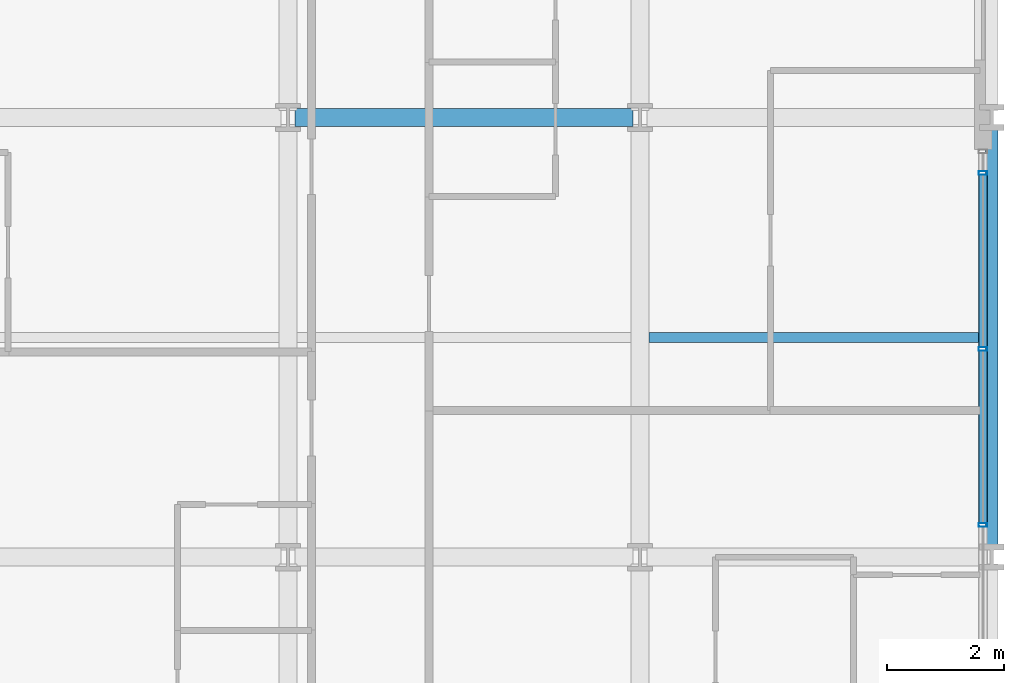
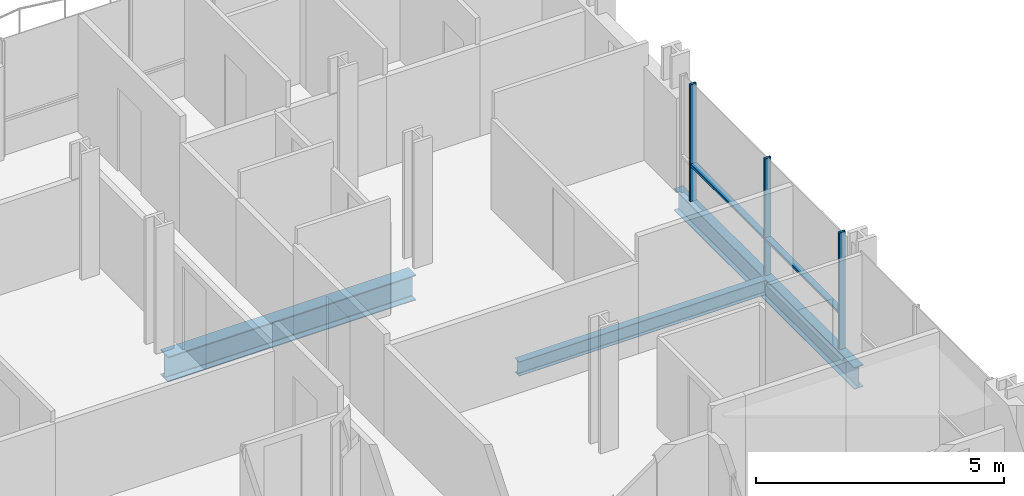
# One storey, part 19 of 41: 5 members, 3 beams, 1 element without a shape of its own.
"""IFC4 building model written with IfcOpenShell, lengths in metres."""

from ifc_helpers import new_model, si_unit, direction, frame, origin, origin_2d, place, context, subcontext, project, spatial, hollow_rectangle, i_section, extrude, material, layer, layer_set, material_profile, profile_set, type_object, element, aggregate, save


model = new_model("IFC4")

# Units and contexts
model_context = context("Model", 3, precision=1e-05, world=origin(), true_north=direction((0.0, 1.0)))
body_context = subcontext(model_context, "Body", "Model", "MODEL_VIEW")
ifc_project = project(units=[si_unit("LENGTHUNIT", "METRE"), si_unit("AREAUNIT", "SQUARE_METRE"), si_unit("VOLUMEUNIT", "CUBIC_METRE"), si_unit("PLANEANGLEUNIT", "RADIAN"), si_unit("MASSUNIT", "GRAM", prefix="KILO")], contexts=[model_context])

# Site, building, storey
site_placement = place(None, origin())
site = spatial("IfcSite", under=ifc_project, at=site_placement, CompositionType="ELEMENT")
building_placement = place(site_placement, origin())
building = spatial("IfcBuilding", under=site, at=building_placement, Name="Brevholm Reach", CompositionType="ELEMENT")
storey_placement = place(building_placement, frame((0.0, 0.0, 55.89990234375)))
storey = spatial("IfcBuildingStorey", under=building, at=storey_placement, Name="L15", CompositionType="ELEMENT", Elevation=55.89990234375)

# Beams
ifc_material_1 = material(Name="Structural Steel S355J2", Category="steel")
ifc_material_profile_1 = material_profile(ifc_material_1, i_section(OverallWidth=0.17138671875, OverallDepth=0.35498046875, WebThickness=0.00732421875, FlangeThickness=0.011474609375, FilletRadius=0.01025390625, at=origin_2d()), Name="UKB 356x171x51")
ifc_profile_set_1 = profile_set([ifc_material_profile_1], Name="Structural Steel S355J2")
beam_type_1 = type_object("IfcBeamType", Name="BM-B356", PredefinedType="BEAM", material=ifc_profile_set_1)
beam_1_placement = place(storey_placement, frame((54.153564453125, 19.75, -0.407470703125), z_axis=(1.0, 0.0, 0.0), x_axis=(0.0, 1.0, 0.0)))
element("IfcBeam", 1, at=beam_1_placement, inside=storey, type_object=beam_type_1, Name="L15 Composite Secondary Floor Beam", PredefinedType="BEAM", context=body_context, shape_type="SweptSolid", body=[
    extrude(i_section(OverallWidth=0.17138671875, OverallDepth=0.35498046875, WebThickness=0.00732421875, FlangeThickness=0.011474609375, FilletRadius=0.01025390625, at=origin_2d()), origin(), (0.0, 0.0, 1.0), 5.740966796875),
])
ifc_material_2 = material(Name="Structural Steel S355J2", Category="steel")
ifc_material_profile_2 = material_profile(ifc_material_2, i_section(OverallWidth=0.210693359375, OverallDepth=0.53955078125, WebThickness=0.01171875, FlangeThickness=0.018798828125, FilletRadius=0.0126953125, at=origin_2d()), Name="UKB 533x210x109")
ifc_profile_set_2 = profile_set([ifc_material_profile_2], Name="Structural Steel S355J2")
beam_type_2 = type_object("IfcBeamType", Name="BM-SP539", PredefinedType="SPANDREL", material=ifc_profile_set_2)
beam_2_placement = place(storey_placement, frame((60.0, 16.1201171875, -0.499755859375), z_axis=(0.0, 1.0, 0.0), x_axis=(-1.0, 0.0, 0.0)))
element("IfcBeam", 2, at=beam_2_placement, inside=storey, type_object=beam_type_2, Name="L15 SP-01B Framing Beam", PredefinedType="SPANDREL", context=body_context, shape_type="SweptSolid", body=[
    extrude(i_section(OverallWidth=0.210693359375, OverallDepth=0.53955078125, WebThickness=0.01171875, FlangeThickness=0.018798828125, FilletRadius=0.0126953125, at=origin_2d()), origin(), (0.0, 0.0, 1.0), 7.259765625),
])
ifc_material_3 = material(Name="Structural Steel S355J2", Category="steel")
ifc_material_profile_3 = material_profile(ifc_material_3, i_section(OverallWidth=0.30712890625, OverallDepth=0.6201171875, WebThickness=0.01416015625, FlangeThickness=0.023681640625, FilletRadius=0.0166015625, at=origin_2d()), Name="UKB 610x305x179")
ifc_profile_set_3 = profile_set([ifc_material_profile_3], Name="Structural Steel S355J2")
beam_type_3 = type_object("IfcBeamType", Name="BM-UKB610H", PredefinedType="USERDEFINED", material=ifc_profile_set_3)
beam_3_placement = place(storey_placement, frame((48.1201171875, 23.5, -0.5400390625), z_axis=(1.0, 0.0, 0.0), x_axis=(0.0, 1.0, 0.0)))
element("IfcBeam", 3, at=beam_3_placement, inside=storey, type_object=beam_type_3, Name="L15 G-06 Framing Beam", ObjectType="GIRDER", PredefinedType="USERDEFINED", context=body_context, shape_type="SweptSolid", body=[
    extrude(i_section(OverallWidth=0.30712890625, OverallDepth=0.6201171875, WebThickness=0.01416015625, FlangeThickness=0.023681640625, FilletRadius=0.0166015625, at=origin_2d()), origin(), (0.0, 0.0, 1.0), 5.759765625),
])

# Curtain wall, members
ifc_material_4 = material(Name="Dark Anodised Aluminium 6063-T6 and Solar-Control Glass", Category="aluminium")
ifc_layer = layer(ifc_material_4, 0.14990234375)
ifc_layer_set = layer_set([ifc_layer], Name="Dark Anodised Aluminium 6063-T6 and Solar-Control Glass")
curtain_wall_type = type_object("IfcCurtainWallType", Name="CW-01", PredefinedType="NOTDEFINED", material=ifc_layer_set)
curtain_wall_placement = place(storey_placement, origin())
curtain_wall = element("IfcCurtainWall", 4, at=curtain_wall_placement, inside=storey, type_object=curtain_wall_type, Name="L15 Curtain Wall CW-01", PredefinedType="NOTDEFINED")
ifc_material_5 = material(Name="Dark Anodised Aluminium 6063-T6", Category="aluminium")
ifc_material_profile_4 = material_profile(ifc_material_5, hollow_rectangle(XDim=0.06494140625, YDim=0.14990234375, WallThickness=0.0048828125, InnerFilletRadius=0.0048828125, OuterFilletRadius=0.010009765625, at=origin_2d()), Name="RHS 150x65x5")
ifc_profile_set_4 = profile_set([ifc_material_profile_4], Name="Dark Anodised Aluminium 6063-T6")
member_type_1 = type_object("IfcMemberType", Name="CWM-150", PredefinedType="MULLION", material=ifc_profile_set_4)
member_1_placement = place(storey_placement, frame((59.85009765625, 16.550048828125, 0.0), z_axis=(0.0, 0.0, 1.0), x_axis=(0.0, 1.0, 0.0)))
member_1 = element("IfcMember", 5, at=member_1_placement, type_object=member_type_1, Name="CM-150 Mullion 3", PredefinedType="MULLION", context=body_context, shape_type="SweptSolid", body=[
    extrude(hollow_rectangle(XDim=0.06494140625, YDim=0.14990234375, WallThickness=0.0048828125, InnerFilletRadius=0.0048828125, OuterFilletRadius=0.010009765625, at=origin_2d()), origin(), (0.0, 0.0, 1.0), 2.8701171875),
])
member_2_placement = place(storey_placement, frame((59.85009765625, 19.550048828125, 0.0), z_axis=(0.0, 0.0, 1.0), x_axis=(0.0, 1.0, 0.0)))
member_2 = element("IfcMember", 6, at=member_2_placement, type_object=member_type_1, Name="CM-150 Mullion 4", PredefinedType="MULLION", context=body_context, shape_type="SweptSolid", body=[
    extrude(hollow_rectangle(XDim=0.06494140625, YDim=0.14990234375, WallThickness=0.0048828125, InnerFilletRadius=0.0048828125, OuterFilletRadius=0.010009765625, at=origin_2d()), origin(), (0.0, 0.0, 1.0), 2.8701171875),
])
member_3_placement = place(storey_placement, frame((59.85009765625, 22.550048828125, 0.0), z_axis=(0.0, 0.0, 1.0), x_axis=(0.0, 1.0, 0.0)))
member_3 = element("IfcMember", 7, at=member_3_placement, type_object=member_type_1, Name="CM-150 Mullion 5", PredefinedType="MULLION", context=body_context, shape_type="SweptSolid", body=[
    extrude(hollow_rectangle(XDim=0.06494140625, YDim=0.14990234375, WallThickness=0.0048828125, InnerFilletRadius=0.0048828125, OuterFilletRadius=0.010009765625, at=origin_2d()), origin(), (0.0, 0.0, 1.0), 2.8701171875),
])
ifc_material_6 = material(Name="Dark Anodised Aluminium 6063-T6", Category="aluminium")
ifc_material_profile_5 = material_profile(ifc_material_6, hollow_rectangle(XDim=0.06494140625, YDim=0.14990234375, WallThickness=0.0048828125, InnerFilletRadius=0.0048828125, OuterFilletRadius=0.010009765625, at=origin_2d()), Name="RHS 150x65x5")
ifc_profile_set_5 = profile_set([ifc_material_profile_5], Name="Dark Anodised Aluminium 6063-T6")
member_type_2 = type_object("IfcMemberType", Name="CWT-150", PredefinedType="NOTDEFINED", material=ifc_profile_set_5)
member_4_placement = place(storey_placement, frame((59.85009765625, 16.58251953125, 0.900146484375), z_axis=(0.0, 1.0, 0.0), x_axis=(0.0, 0.0, 1.0)))
member_4 = element("IfcMember", 8, at=member_4_placement, type_object=member_type_2, Name="CT-150 Transom 3.1", ObjectType="TRANSOM", PredefinedType="USERDEFINED", context=body_context, shape_type="SweptSolid", body=[
    extrude(hollow_rectangle(XDim=0.06494140625, YDim=0.14990234375, WallThickness=0.0048828125, InnerFilletRadius=0.0048828125, OuterFilletRadius=0.010009765625, at=origin_2d()), origin(), (0.0, 0.0, 1.0), 2.93505859375),
])
member_5_placement = place(storey_placement, frame((59.85009765625, 19.58251953125, 0.900146484375), z_axis=(0.0, 1.0, 0.0), x_axis=(0.0, 0.0, 1.0)))
member_5 = element("IfcMember", 9, at=member_5_placement, type_object=member_type_2, Name="CT-150 Transom 4.1", ObjectType="TRANSOM", PredefinedType="USERDEFINED", context=body_context, shape_type="SweptSolid", body=[
    extrude(hollow_rectangle(XDim=0.06494140625, YDim=0.14990234375, WallThickness=0.0048828125, InnerFilletRadius=0.0048828125, OuterFilletRadius=0.010009765625, at=origin_2d()), origin(), (0.0, 0.0, 1.0), 2.93505859375),
])
aggregate(curtain_wall, [member_1, member_2, member_3, member_4, member_5])

save(model, "model.ifc")
